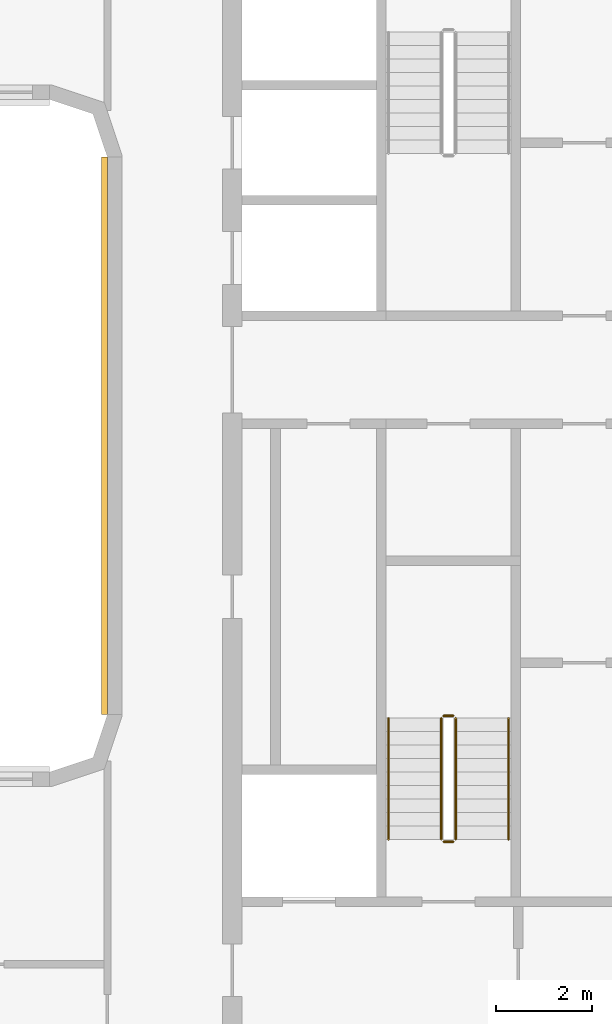
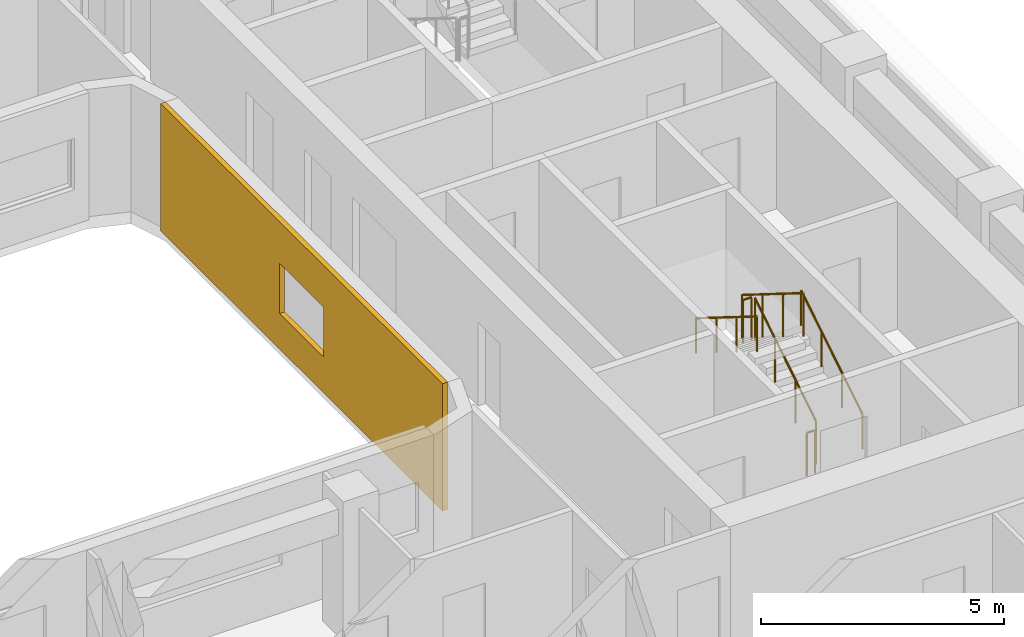
# One storey, part 17 of 22: 6 railings, 1 covering.
"""IFC4 building model written with IfcOpenShell, lengths in metres."""

from ifc_helpers import new_model, si_unit, direction, frame, origin, origin_2d, place, context, subcontext, project, spatial, polyline, circle, outline, extrude, material, layer, layer_set, type_object, element, save


model = new_model("IFC4")

# Units and contexts
model_context = context("Model", 3, precision=1e-05, world=origin(), true_north=direction((0.0, 1.0)))
body_context = subcontext(model_context, "Body", "Model", "MODEL_VIEW")
ifc_project = project(units=[si_unit("LENGTHUNIT", "METRE"), si_unit("AREAUNIT", "SQUARE_METRE"), si_unit("VOLUMEUNIT", "CUBIC_METRE"), si_unit("PLANEANGLEUNIT", "RADIAN"), si_unit("MASSUNIT", "GRAM", prefix="KILO")], contexts=[model_context])

# Site, building, storey
site_placement = place(None, origin())
site = spatial("IfcSite", under=ifc_project, at=site_placement, CompositionType="ELEMENT")
building_placement = place(site_placement, origin())
building = spatial("IfcBuilding", under=site, at=building_placement, Name="Kiln Ring Residences", CompositionType="ELEMENT")
storey_placement = place(building_placement, frame((0.0, 0.0, 160.60009765625)))
storey = spatial("IfcBuildingStorey", under=building, at=storey_placement, Name="L41", CompositionType="ELEMENT", Elevation=160.60009765625)

# Railings
ifc_material_1 = material(Name="Stainless steel", Category="steel")
railing_type_1 = type_object("IfcRailingType", Name="CORE-STAIR-GUARD", PredefinedType="GUARDRAIL", material=ifc_material_1)
railing_1_placement = place(storey_placement, frame((22.25, -8.39990234375, 0.1748046875)))
element("IfcRailing", 1, at=railing_1_placement, inside=storey, type_object=railing_type_1, Name="L41 E-STS stair guard 1", PredefinedType="GUARDRAIL", context=body_context, shape_type="SweptSolid", body=[
    extrude(circle(Radius=0.02392578125, at=origin_2d()), frame((0.0, 0.0, 1.076171875), z_axis=(0.0, 0.847970611238, 0.530043245855), x_axis=(-1.0, 0.0, 0.0)), (0.0, 0.0, 1.0), 2.971923828125),
    extrude(circle(Radius=0.02099609375, at=origin_2d()), origin(), (0.0, 0.0, 1.0), 1.052001953125),
    extrude(circle(Radius=0.02099609375, at=origin_2d()), frame((0.0, 0.840087890625, 0.525146484375)), (0.0, 0.0, 1.0), 1.052001953125),
    extrude(circle(Radius=0.02099609375, at=origin_2d()), frame((0.0, 1.679931640625, 1.050048828125)), (0.0, 0.0, 1.0), 1.052001953125),
    extrude(circle(Radius=0.02099609375, at=origin_2d()), frame((0.0, 2.52001953125, 1.5751953125)), (0.0, 0.0, 1.0), 1.052001953125),
])
railing_2_placement = place(storey_placement, frame((22.199951171875, -5.830078125, 1.75)))
element("IfcRailing", 2, at=railing_2_placement, inside=storey, type_object=railing_type_1, Name="L41 E-STS stair guard 2", PredefinedType="GUARDRAIL", context=body_context, shape_type="SweptSolid", body=[
    extrude(circle(Radius=0.02392578125, at=origin_2d()), frame((0.0, 0.0, 1.076171875), z_axis=(-1.0, 0.0, 0.0), x_axis=(0.0, -1.0, 0.0)), (0.0, 0.0, 1.0), 0.199951171875),
    extrude(circle(Radius=0.02099609375, at=origin_2d()), origin(), (0.0, 0.0, 1.0), 1.052001953125),
    extrude(circle(Radius=0.02099609375, at=origin_2d()), frame((-0.199951171875, 0.0, 0.0)), (0.0, 0.0, 1.0), 1.052001953125),
])
railing_3_placement = place(storey_placement, frame((21.949951171875, -5.8798828125, 1.9248046875)))
element("IfcRailing", 3, at=railing_3_placement, inside=storey, type_object=railing_type_1, Name="L41 E-STS stair guard 3", PredefinedType="GUARDRAIL", context=body_context, shape_type="SweptSolid", body=[
    extrude(circle(Radius=0.02392578125, at=origin_2d()), frame((0.0, 0.0, 1.076171875), z_axis=(0.0, -0.847970611238, 0.530043245855), x_axis=(1.0, 0.0, 0.0)), (0.0, 0.0, 1.0), 2.971923828125),
    extrude(circle(Radius=0.02099609375, at=origin_2d()), origin(), (0.0, 0.0, 1.0), 1.052001953125),
    extrude(circle(Radius=0.02099609375, at=origin_2d()), frame((0.0, -0.840087890625, 0.525146484375)), (0.0, 0.0, 1.0), 1.052001953125),
    extrude(circle(Radius=0.02099609375, at=origin_2d()), frame((0.0, -1.679931640625, 1.050048828125)), (0.0, 0.0, 1.0), 1.052001953125),
    extrude(circle(Radius=0.02099609375, at=origin_2d()), frame((0.0, -2.52001953125, 1.5751953125)), (0.0, 0.0, 1.0), 1.052001953125),
])
railing_4_placement = place(storey_placement, frame((22.199951171875, -8.449951171875, 0.0)))
element("IfcRailing", 4, at=railing_4_placement, inside=storey, type_object=railing_type_1, Name="L41 E-STS stair guard 4", PredefinedType="GUARDRAIL", context=body_context, shape_type="SweptSolid", body=[
    extrude(circle(Radius=0.02392578125, at=origin_2d()), frame((0.0, 0.0, 1.076171875), z_axis=(-1.0, 0.0, 0.0), x_axis=(0.0, -1.0, 0.0)), (0.0, 0.0, 1.0), 0.199951171875),
    extrude(circle(Radius=0.02099609375, at=origin_2d()), origin(), (0.0, 0.0, 1.0), 1.052001953125),
    extrude(circle(Radius=0.02099609375, at=origin_2d()), frame((-0.199951171875, 0.0, 0.0)), (0.0, 0.0, 1.0), 1.052001953125),
])
ifc_material_2 = material(Name="Stainless steel", Category="steel")
railing_type_2 = type_object("IfcRailingType", Name="CORE-STAIR-HANDRAIL", PredefinedType="HANDRAIL", material=ifc_material_2)
railing_5_placement = place(storey_placement, frame((23.35009765625, -8.39990234375, 0.1748046875)))
element("IfcRailing", 5, at=railing_5_placement, inside=storey, type_object=railing_type_2, Name="L41 E-STS stair handrail 1", PredefinedType="HANDRAIL", context=body_context, shape_type="SweptSolid", body=[
    extrude(circle(Radius=0.02392578125, at=origin_2d()), frame((0.0, 0.0, 0.8759765625), z_axis=(0.0, 0.847970611238, 0.530043245855), x_axis=(-1.0, 0.0, 0.0)), (0.0, 0.0, 1.0), 2.971923828125),
    extrude(circle(Radius=0.02099609375, at=origin_2d()), origin(), (0.0, 0.0, 1.0), 0.851806640625),
    extrude(circle(Radius=0.02099609375, at=origin_2d()), frame((0.0, 0.840087890625, 0.525146484375)), (0.0, 0.0, 1.0), 0.851806640625),
    extrude(circle(Radius=0.02099609375, at=origin_2d()), frame((0.0, 1.679931640625, 1.050048828125)), (0.0, 0.0, 1.0), 0.851806640625),
    extrude(circle(Radius=0.02099609375, at=origin_2d()), frame((0.0, 2.52001953125, 1.5751953125)), (0.0, 0.0, 1.0), 0.851806640625),
])
railing_6_placement = place(storey_placement, frame((20.85009765625, -5.8798828125, 1.9248046875)))
element("IfcRailing", 6, at=railing_6_placement, inside=storey, type_object=railing_type_2, Name="L41 E-STS stair handrail 2", PredefinedType="HANDRAIL", context=body_context, shape_type="SweptSolid", body=[
    extrude(circle(Radius=0.02392578125, at=origin_2d()), frame((0.0, 0.0, 0.8759765625), z_axis=(0.0, -0.847970611238, 0.530043245855), x_axis=(1.0, 0.0, 0.0)), (0.0, 0.0, 1.0), 2.971923828125),
    extrude(circle(Radius=0.02099609375, at=origin_2d()), origin(), (0.0, 0.0, 1.0), 0.851806640625),
    extrude(circle(Radius=0.02099609375, at=origin_2d()), frame((0.0, -0.840087890625, 0.525146484375)), (0.0, 0.0, 1.0), 0.851806640625),
    extrude(circle(Radius=0.02099609375, at=origin_2d()), frame((0.0, -1.679931640625, 1.050048828125)), (0.0, 0.0, 1.0), 0.851806640625),
    extrude(circle(Radius=0.02099609375, at=origin_2d()), frame((0.0, -2.52001953125, 1.5751953125)), (0.0, 0.0, 1.0), 0.851806640625),
])

# Covering
ifc_material_3 = material(Name="Brick masonry, dark clay brick", Category="masonry")
ifc_layer = layer(ifc_material_3, 0.1201171875)
ifc_layer_set = layer_set([ifc_layer], Name="RAINSCREEN PANEL 120")
covering_type = type_object("IfcCoveringType", Name="RAINSCREEN PANEL 120", PredefinedType="CLADDING", material=ifc_layer_set)
covering_placement = place(storey_placement, frame((14.93994140625, 5.800048828125, 0.0), z_axis=(0.0, 0.0, 1.0), x_axis=(0.0, -1.0, 0.0)))
element("IfcCovering", 7, at=covering_placement, inside=storey, type_object=covering_type, Name="RAINSCREEN L41", PredefinedType="CLADDING", context=body_context, shape_type="SweptSolid", body=[
    extrude(outline(polyline([(0.0, 0.0), (11.60009765625, 0.0), (11.60009765625, 3.199951171875), (0.0, 3.199951171875), (0.0, 0.0)]), holes=[polyline([(4.89990234375, 2.14990234375), (4.89990234375, 0.89990234375), (6.699951171875, 0.89990234375), (6.699951171875, 2.14990234375), (4.89990234375, 2.14990234375)])]), frame((0.0, 0.06005859375, 0.0), z_axis=(0.0, -1.0, 0.0), x_axis=(1.0, 0.0, 0.0)), (0.0, 0.0, 1.0), 0.1201171875),
])

save(model, "model.ifc")
